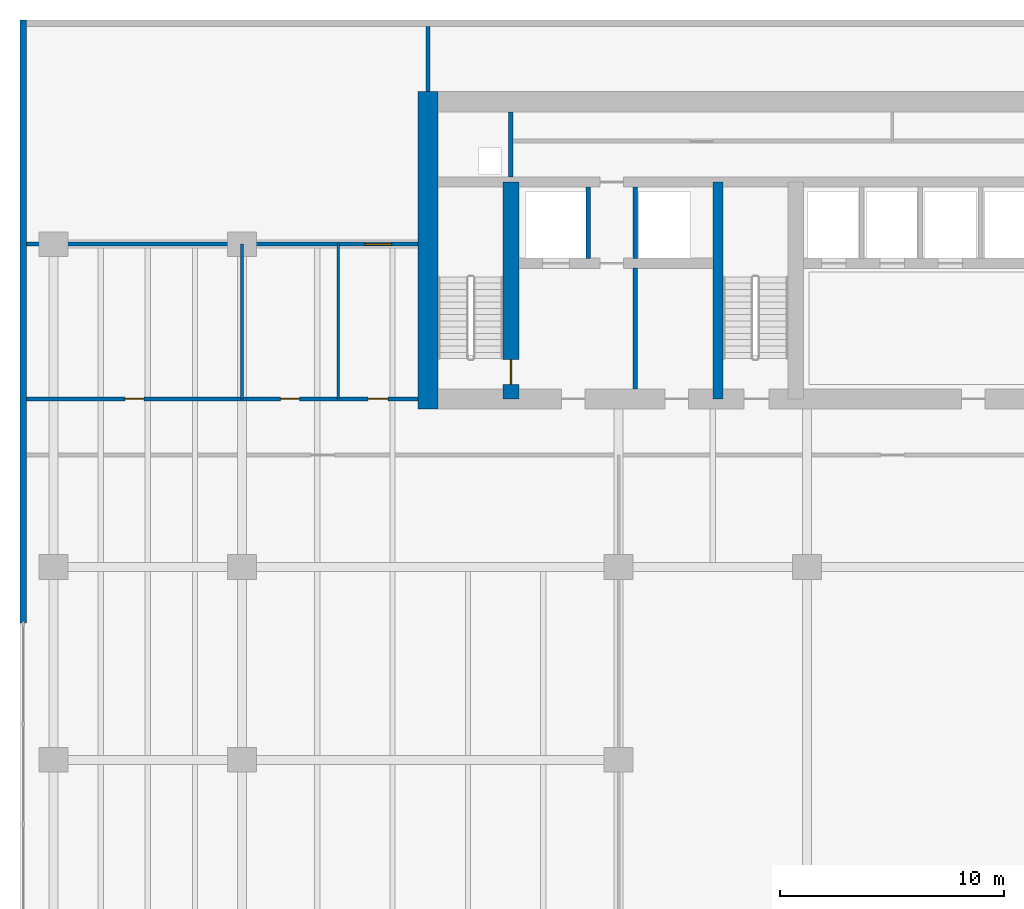
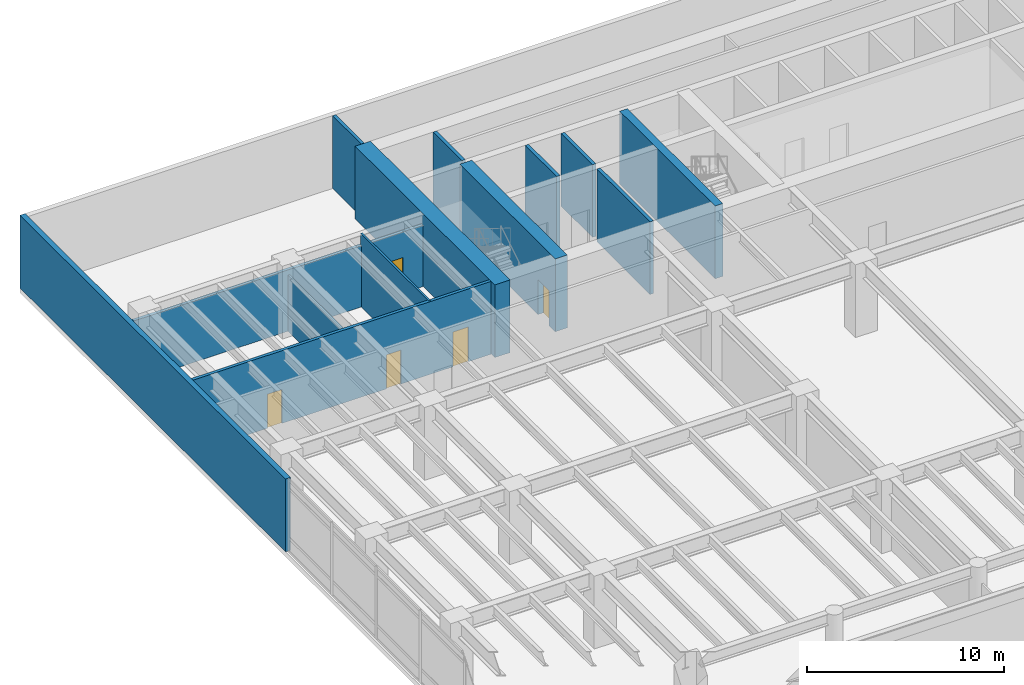
# One storey, part 7 of 13: 13 walls, 5 doors, 5 openings.
"""IFC4 building model written with IfcOpenShell, lengths in metres."""

from ifc_helpers import new_model, si_unit, direction, frame, frame_2d, origin, place, context, subcontext, project, spatial, rectangle, extrude, material, layer, layer_set, type_object, element, fill, save


model = new_model("IFC4")

# Units and contexts
model_context = context("Model", 3, precision=1e-05, world=origin(), true_north=direction((0.0, 1.0)))
body_context = subcontext(model_context, "Body", "Model", "MODEL_VIEW")
ifc_project = project(units=[si_unit("LENGTHUNIT", "METRE"), si_unit("AREAUNIT", "SQUARE_METRE"), si_unit("VOLUMEUNIT", "CUBIC_METRE"), si_unit("PLANEANGLEUNIT", "RADIAN"), si_unit("MASSUNIT", "GRAM", prefix="KILO")], contexts=[model_context])

# Site, building, storey
site_placement = place(None, origin())
site = spatial("IfcSite", under=ifc_project, at=site_placement, CompositionType="ELEMENT")
building_placement = place(site_placement, origin())
building = spatial("IfcBuilding", under=site, at=building_placement, Name="Caelmar Bay Residences", CompositionType="ELEMENT")
storey_placement = place(building_placement, frame((0.0, 0.0, 5.39990234375)))
storey = spatial("IfcBuildingStorey", under=building, at=storey_placement, Name="L01", CompositionType="ELEMENT", Elevation=5.39990234375)

# Wall, opening, door
ifc_material_1 = material(Name="Concrete f'c 55 MPa (8,000 psi)", Category="concrete")
ifc_layer_1 = layer(ifc_material_1, 0.699951171875)
ifc_layer_set_1 = layer_set([ifc_layer_1], Name="Concrete f'c 55 MPa (8,000 psi)")
wall_type_1 = type_object("IfcWallType", Name="SW-COR-700", PredefinedType="SHEAR", material=ifc_layer_set_1)
wall_1_placement = place(storey_placement, frame((21.89990234375, 36.89990234375, 0.0), z_axis=(0.0, 0.0, 1.0), x_axis=(0.0, 1.0, 0.0)))
wall_1 = element("IfcWall", 1, at=wall_1_placement, inside=storey, type_object=wall_type_1, Name="L01 Core Structural Web Wall ST1E", PredefinedType="SHEAR", context=body_context, shape_type="SweptSolid", body=[
    extrude(rectangle(XDim=9.675048828125, YDim=0.699951171875, at=frame_2d((4.83740234375, 0.0))), origin(), (0.0, 0.0, 1.0), 4.5),
])
opening_1_placement = place(wall_1_placement, frame((0.64990234375, 0.0, 0.0)))
opening_1 = element("IfcOpeningElement", 2, at=opening_1_placement, cuts=wall_1, Name="Opening D-L01-108", PredefinedType="OPENING", context=body_context, shape_type="SweptSolid", body=[
    extrude(rectangle(XDim=1.10009765625, YDim=2.14990234375, at=frame_2d((0.550048828125, 1.074951171875))), frame((0.0, 0.35986328125, 0.0), z_axis=(0.0, -1.0, 0.0), x_axis=(1.0, 0.0, 0.0)), (0.0, 0.0, 1.0), 0.719970703125),
])
ifc_material_2 = material(Name="Fire-rated steel and walnut architectural door assembly", Category="steel")
ifc_layer_2 = layer(ifc_material_2, 0.050048828125)
ifc_layer_set_2 = layer_set([ifc_layer_2], Name="Fire-rated steel and walnut architectural door assembly")
door_type_1 = type_object("IfcDoorType", Name="D-STAIR-1100", OperationType="NOTDEFINED", PredefinedType="DOOR", material=ifc_layer_set_2)
door_1_placement = place(opening_1_placement, origin())
door_1 = element("IfcDoor", 3, at=door_1_placement, inside=storey, type_object=door_type_1, Name="L01 Firefighting Lobby West Door", OperationType="SINGLE_SWING_LEFT", OverallHeight=2.14990234375, OverallWidth=1.10009765625, PredefinedType="DOOR", context=body_context, shape_type="SweptSolid", body=[
    extrude(rectangle(XDim=1.10009765625, YDim=2.14990234375, at=frame_2d((0.550048828125, 1.074951171875))), frame((0.0, 0.02490234375, 0.0), z_axis=(0.0, -1.0, 0.0), x_axis=(1.0, 0.0, 0.0)), (0.0, 0.0, 1.0), 0.050048828125),
])
fill(opening_1, door_1)

# Walls
ifc_material_3 = material(Name="Concrete f'c 70 MPa (10,000 psi)", Category="concrete")
ifc_layer_3 = layer(ifc_material_3, 0.89990234375)
ifc_layer_set_3 = layer_set([ifc_layer_3], Name="Concrete f'c 70 MPa (10,000 psi)")
wall_type_2 = type_object("IfcWallType", Name="SW-COR-900", PredefinedType="SHEAR", material=ifc_layer_set_3)
wall_2_placement = place(storey_placement, frame((18.199951171875, 36.449951171875, 0.0), z_axis=(0.0, 0.0, 1.0), x_axis=(0.0, 1.0, 0.0)))
element("IfcWall", 4, at=wall_2_placement, inside=storey, type_object=wall_type_2, Name="L01 Rear Core West Shear Wall", PredefinedType="SHEAR", context=body_context, shape_type="SweptSolid", body=[
    extrude(rectangle(XDim=14.150146484375, YDim=0.89990234375, at=frame_2d((7.0751953125, 0.0))), origin(), (0.0, 0.0, 1.0), 4.5),
])
ifc_layer_4 = layer(ifc_material_3, 0.449951171875)
ifc_layer_set_4 = layer_set([ifc_layer_4], Name="Concrete f'c 70 MPa (10,000 psi)")
wall_type_3 = type_object("IfcWallType", Name="SW-WEB-450", PredefinedType="SHEAR", material=ifc_layer_set_4)
wall_3_placement = place(storey_placement, frame((31.125, 36.89990234375, 0.0), z_axis=(0.0, 0.0, 1.0), x_axis=(0.0, 1.0, 0.0)))
element("IfcWall", 5, at=wall_3_placement, inside=storey, type_object=wall_type_3, Name="L01 Core Structural Web Wall ST3W", PredefinedType="SHEAR", context=body_context, shape_type="SweptSolid", body=[
    extrude(rectangle(XDim=9.675048828125, YDim=0.449951171875, at=frame_2d((4.83740234375, 0.0))), origin(), (0.0, 0.0, 1.0), 4.5),
])
ifc_material_4 = material(Name="Double-stud acoustic fire-rated gypsum partition 180 mm")
ifc_layer_5 = layer(ifc_material_4, 0.179931640625)
ifc_layer_set_5 = layer_set([ifc_layer_5], Name="Double-stud acoustic fire-rated gypsum partition 180 mm")
wall_type_4 = type_object("IfcWallType", Name="W-COR-200", PredefinedType="PARTITIONING", material=ifc_layer_set_5)
wall_4_placement = place(storey_placement, frame((18.199951171875, 50.60498046875, 0.0), z_axis=(0.0, 0.0, 1.0), x_axis=(0.0, 1.0, 0.0)))
element("IfcWall", 6, at=wall_4_placement, inside=storey, type_object=wall_type_4, Name="L01 Partition Wall V003", PredefinedType="PARTITIONING", context=body_context, shape_type="SweptSolid", body=[
    extrude(rectangle(XDim=2.89990234375, YDim=0.179931640625, at=frame_2d((1.449951171875, 0.0))), origin(), (0.0, 0.0, 1.0), 4.5),
])

# Wall, openings, doors
wall_5_placement = place(storey_placement, frame((0.294921875, 36.89990234375, 0.0), z_axis=(0.0, 0.0, 1.0), x_axis=(1.0, 0.0, 0.0)))
wall_5 = element("IfcWall", 7, at=wall_5_placement, inside=storey, type_object=wall_type_4, Name="L01 Partition Wall H032", PredefinedType="PARTITIONING", context=body_context, shape_type="SweptSolid", body=[
    extrude(rectangle(XDim=17.4501953125, YDim=0.179931640625, at=frame_2d((8.72509765625, 0.0))), origin(), (0.0, 0.0, 1.0), 4.5),
])
opening_2_placement = place(wall_5_placement, frame((4.37744140625, 0.0, 0.0)))
opening_2 = element("IfcOpeningElement", 8, at=opening_2_placement, cuts=wall_5, Name="Opening D-L01-132", PredefinedType="OPENING", context=body_context, shape_type="SweptSolid", body=[
    extrude(rectangle(XDim=0.85009765625, YDim=2.10009765625, at=frame_2d((0.425048828125, 1.050048828125))), frame((0.0, 0.099853515625, 0.0), z_axis=(0.0, -1.0, 0.0), x_axis=(1.0, 0.0, 0.0)), (0.0, 0.0, 1.0), 0.199951171875),
])
opening_3_placement = place(wall_5_placement, frame((11.330078125, 0.0, 0.0)))
opening_3 = element("IfcOpeningElement", 9, at=opening_3_placement, cuts=wall_5, Name="Opening D-L01-133", PredefinedType="OPENING", context=body_context, shape_type="SweptSolid", body=[
    extrude(rectangle(XDim=0.85009765625, YDim=2.10009765625, at=frame_2d((0.425048828125, 1.050048828125))), frame((0.0, 0.099853515625, 0.0), z_axis=(0.0, -1.0, 0.0), x_axis=(1.0, 0.0, 0.0)), (0.0, 0.0, 1.0), 0.199951171875),
])
opening_4_placement = place(wall_5_placement, frame((15.2275390625, 0.0, 0.0)))
opening_4 = element("IfcOpeningElement", 10, at=opening_4_placement, cuts=wall_5, Name="Opening D-L01-134", PredefinedType="OPENING", context=body_context, shape_type="SweptSolid", body=[
    extrude(rectangle(XDim=0.89990234375, YDim=2.14990234375, at=frame_2d((0.449951171875, 1.074951171875))), frame((0.0, 0.099853515625, 0.0), z_axis=(0.0, -1.0, 0.0), x_axis=(1.0, 0.0, 0.0)), (0.0, 0.0, 1.0), 0.199951171875),
])
ifc_material_5 = material(Name="Solid walnut timber interior door leaf and frame", Category="wood")
ifc_layer_6 = layer(ifc_material_5, 0.050048828125)
ifc_layer_set_6 = layer_set([ifc_layer_6], Name="Solid walnut timber interior door leaf and frame")
door_type_2 = type_object("IfcDoorType", Name="D-BATH-850", OperationType="NOTDEFINED", PredefinedType="DOOR", material=ifc_layer_set_6)
door_2_placement = place(opening_2_placement, origin())
door_2 = element("IfcDoor", 11, at=door_2_placement, inside=storey, type_object=door_type_2, Name="L01 Podium L01 Public Restroom Door", OperationType="SINGLE_SWING_LEFT", OverallHeight=2.10009765625, OverallWidth=0.85009765625, PredefinedType="DOOR", context=body_context, shape_type="SweptSolid", body=[
    extrude(rectangle(XDim=0.85009765625, YDim=2.10009765625, at=frame_2d((0.425048828125, 1.050048828125))), frame((0.0, 0.02490234375, 0.0), z_axis=(0.0, -1.0, 0.0), x_axis=(1.0, 0.0, 0.0)), (0.0, 0.0, 1.0), 0.050048828125),
])
fill(opening_2, door_2)
door_3_placement = place(opening_3_placement, origin())
door_3 = element("IfcDoor", 12, at=door_3_placement, inside=storey, type_object=door_type_2, Name="L01 Podium L01 Accessible WC Door", OperationType="SINGLE_SWING_RIGHT", OverallHeight=2.10009765625, OverallWidth=0.85009765625, PredefinedType="DOOR", context=body_context, shape_type="SweptSolid", body=[
    extrude(rectangle(XDim=0.85009765625, YDim=2.10009765625, at=frame_2d((0.425048828125, 1.050048828125))), frame((0.0, 0.02490234375, 0.0), z_axis=(0.0, -1.0, 0.0), x_axis=(1.0, 0.0, 0.0)), (0.0, 0.0, 1.0), 0.050048828125),
])
fill(opening_3, door_3)
ifc_layer_7 = layer(ifc_material_5, 0.050048828125)
ifc_layer_set_7 = layer_set([ifc_layer_7], Name="Solid walnut timber interior door leaf and frame")
door_type_3 = type_object("IfcDoorType", Name="D-ROOM-900", OperationType="NOTDEFINED", PredefinedType="DOOR", material=ifc_layer_set_7)
door_4_placement = place(opening_4_placement, origin())
door_4 = element("IfcDoor", 13, at=door_4_placement, inside=storey, type_object=door_type_3, Name="L01 Podium L01 Linen Storage Door", OperationType="SINGLE_SWING_LEFT", OverallHeight=2.14990234375, OverallWidth=0.89990234375, PredefinedType="DOOR", context=body_context, shape_type="SweptSolid", body=[
    extrude(rectangle(XDim=0.89990234375, YDim=2.14990234375, at=frame_2d((0.449951171875, 1.074951171875))), frame((0.0, 0.02490234375, 0.0), z_axis=(0.0, -1.0, 0.0), x_axis=(1.0, 0.0, 0.0)), (0.0, 0.0, 1.0), 0.050048828125),
])
fill(opening_4, door_4)

# Wall, opening, door
wall_6_placement = place(storey_placement, frame((0.294921875, 43.800048828125, 0.0), z_axis=(0.0, 0.0, 1.0), x_axis=(1.0, 0.0, 0.0)))
wall_6 = element("IfcWall", 14, at=wall_6_placement, inside=storey, type_object=wall_type_4, Name="L01 Partition Wall H034", PredefinedType="PARTITIONING", context=body_context, shape_type="SweptSolid", body=[
    extrude(rectangle(XDim=17.4599609375, YDim=0.179931640625, at=frame_2d((8.72998046875, 0.0))), origin(), (0.0, 0.0, 1.0), 3.7890625),
])
opening_5_placement = place(wall_6_placement, frame((15.08251953125, 0.0, 0.0)))
opening_5 = element("IfcOpeningElement", 15, at=opening_5_placement, cuts=wall_6, Name="Opening D-L01-136", PredefinedType="OPENING", context=body_context, shape_type="SweptSolid", body=[
    extrude(rectangle(XDim=1.199951171875, YDim=2.199951171875, at=frame_2d((0.60009765625, 1.10009765625))), frame((0.0, 0.099853515625, 0.0), z_axis=(0.0, -1.0, 0.0), x_axis=(1.0, 0.0, 0.0)), (0.0, 0.0, 1.0), 0.199951171875),
])
ifc_layer_8 = layer(ifc_material_2, 0.050048828125)
ifc_layer_set_8 = layer_set([ifc_layer_8], Name="Fire-rated steel and walnut architectural door assembly")
door_type_4 = type_object("IfcDoorType", Name="D-PLANT-1200", OperationType="NOTDEFINED", PredefinedType="DOOR", material=ifc_layer_set_8)
door_5_placement = place(opening_5_placement, origin())
door_5 = element("IfcDoor", 16, at=door_5_placement, inside=storey, type_object=door_type_4, Name="L01 Podium L01 North Plant Room Door", OperationType="SINGLE_SWING_LEFT", OverallHeight=2.199951171875, OverallWidth=1.199951171875, PredefinedType="DOOR", context=body_context, shape_type="SweptSolid", body=[
    extrude(rectangle(XDim=1.199951171875, YDim=2.199951171875, at=frame_2d((0.60009765625, 1.10009765625))), frame((0.0, 0.02490234375, 0.0), z_axis=(0.0, -1.0, 0.0), x_axis=(1.0, 0.0, 0.0)), (0.0, 0.0, 1.0), 0.050048828125),
])
fill(opening_5, door_5)

# Walls
ifc_material_6 = material(Name="Precast concrete f'c 40 MPa (6,000 psi)", Category="concrete")
ifc_layer_9 = layer(ifc_material_6, 0.300048828125)
ifc_layer_set_9 = layer_set([ifc_layer_9], Name="Precast concrete f'c 40 MPa (6,000 psi)")
wall_type_5 = type_object("IfcWallType", Name="W-EXT-300", PredefinedType="STANDARD", material=ifc_layer_set_9)
wall_7_placement = place(storey_placement, frame((0.14990234375, 26.89990234375, 0.0), z_axis=(0.0, 0.0, 1.0), x_axis=(0.0, 1.0, 0.0)))
element("IfcWall", 17, at=wall_7_placement, inside=storey, type_object=wall_type_5, Name="L01 West Rear Exterior Wall", PredefinedType="STANDARD", context=body_context, shape_type="SweptSolid", body=[
    extrude(rectangle(XDim=26.900146484375, YDim=0.300048828125, at=frame_2d((13.4501953125, 0.0))), origin(), (0.0, 0.0, 1.0), 4.5),
])
ifc_material_7 = material(Name="Fire-rated masonry and gypsum shaftliner assembly 200 mm", Category="masonry")
ifc_layer_10 = layer(ifc_material_7, 0.199951171875)
ifc_layer_set_10 = layer_set([ifc_layer_10], Name="Fire-rated masonry and gypsum shaftliner assembly 200 mm")
wall_type_6 = type_object("IfcWallType", Name="W-FSAE-200", PredefinedType="PARTITIONING", material=ifc_layer_set_10)
wall_8_placement = place(storey_placement, frame((21.89990234375, 46.794921875, 0.0), z_axis=(0.0, 0.0, 1.0), x_axis=(0.0, 1.0, 0.0)))
element("IfcWall", 18, at=wall_8_placement, inside=storey, type_object=wall_type_6, Name="L01 Partition Wall V004", PredefinedType="PARTITIONING", context=body_context, shape_type="SweptSolid", body=[
    extrude(rectangle(XDim=2.91015625, YDim=0.199951171875, at=frame_2d((1.455078125, 0.0))), origin(), (0.0, 0.0, 1.0), 4.5),
])
wall_9_placement = place(storey_placement, frame((25.35009765625, 43.169921875, 0.0), z_axis=(0.0, 0.0, 1.0), x_axis=(0.0, 1.0, 0.0)))
element("IfcWall", 19, at=wall_9_placement, inside=storey, type_object=wall_type_6, Name="L01 Partition Wall V005", PredefinedType="PARTITIONING", context=body_context, shape_type="SweptSolid", body=[
    extrude(rectangle(XDim=3.18505859375, YDim=0.199951171875, at=frame_2d((1.592529296875, 0.0))), origin(), (0.0, 0.0, 1.0), 4.5),
])
wall_10_placement = place(storey_placement, frame((27.449951171875, 37.344970703125, 0.0), z_axis=(0.0, 0.0, 1.0), x_axis=(0.0, 1.0, 0.0)))
element("IfcWall", 20, at=wall_10_placement, inside=storey, type_object=wall_type_6, Name="L01 Partition Wall V007", PredefinedType="PARTITIONING", context=body_context, shape_type="SweptSolid", body=[
    extrude(rectangle(XDim=5.385009765625, YDim=0.199951171875, at=frame_2d((2.6923828125, 0.0))), origin(), (0.0, 0.0, 1.0), 4.5),
])
wall_11_placement = place(storey_placement, frame((27.449951171875, 43.169921875, 0.0), z_axis=(0.0, 0.0, 1.0), x_axis=(0.0, 1.0, 0.0)))
element("IfcWall", 21, at=wall_11_placement, inside=storey, type_object=wall_type_6, Name="L01 Partition Wall V008", PredefinedType="PARTITIONING", context=body_context, shape_type="SweptSolid", body=[
    extrude(rectangle(XDim=3.18505859375, YDim=0.199951171875, at=frame_2d((1.592529296875, 0.0))), origin(), (0.0, 0.0, 1.0), 4.5),
])
ifc_material_8 = material(Name="Acoustic metal-stud gypsum partition 120 mm")
ifc_layer_11 = layer(ifc_material_8, 0.1201171875)
ifc_layer_set_11 = layer_set([ifc_layer_11], Name="Acoustic metal-stud gypsum partition 120 mm")
wall_type_7 = type_object("IfcWallType", Name="W-PRT-120", PredefinedType="PARTITIONING", material=ifc_layer_set_11)
wall_12_placement = place(storey_placement, frame((9.89990234375, 36.89990234375, 0.0), z_axis=(0.0, 0.0, 1.0), x_axis=(0.0, 1.0, 0.0)))
element("IfcWall", 22, at=wall_12_placement, inside=storey, type_object=wall_type_7, Name="L01 Partition Wall V001", PredefinedType="PARTITIONING", context=body_context, shape_type="SweptSolid", body=[
    extrude(rectangle(XDim=6.900146484375, YDim=0.1201171875, at=frame_2d((3.4501953125, 0.0))), origin(), (0.0, 0.0, 1.0), 3.464111328125),
])
wall_13_placement = place(storey_placement, frame((14.199951171875, 36.89990234375, 0.0), z_axis=(0.0, 0.0, 1.0), x_axis=(0.0, 1.0, 0.0)))
element("IfcWall", 23, at=wall_13_placement, inside=storey, type_object=wall_type_7, Name="L01 Partition Wall V002", PredefinedType="PARTITIONING", context=body_context, shape_type="SweptSolid", body=[
    extrude(rectangle(XDim=6.900146484375, YDim=0.1201171875, at=frame_2d((3.4501953125, 0.0))), origin(), (0.0, 0.0, 1.0), 4.5),
])

save(model, "model.ifc")
